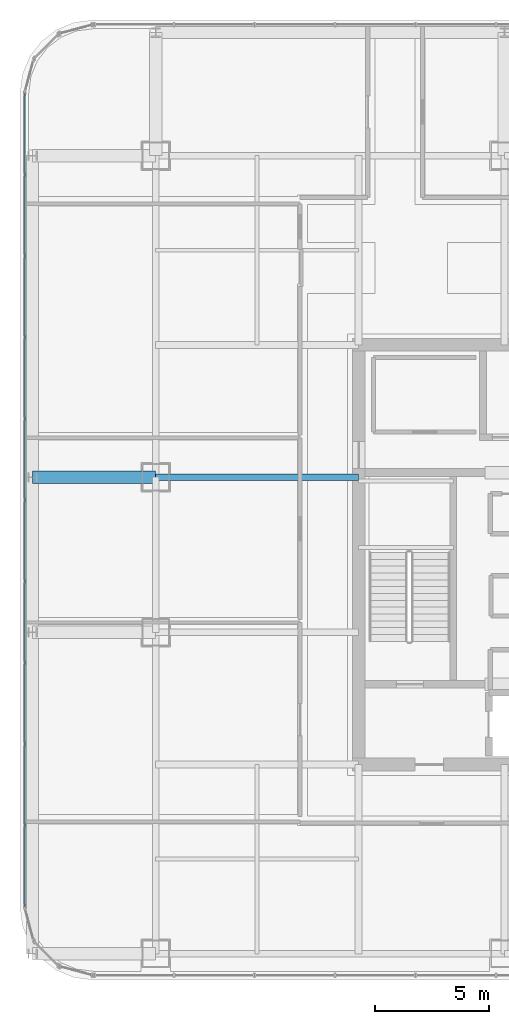
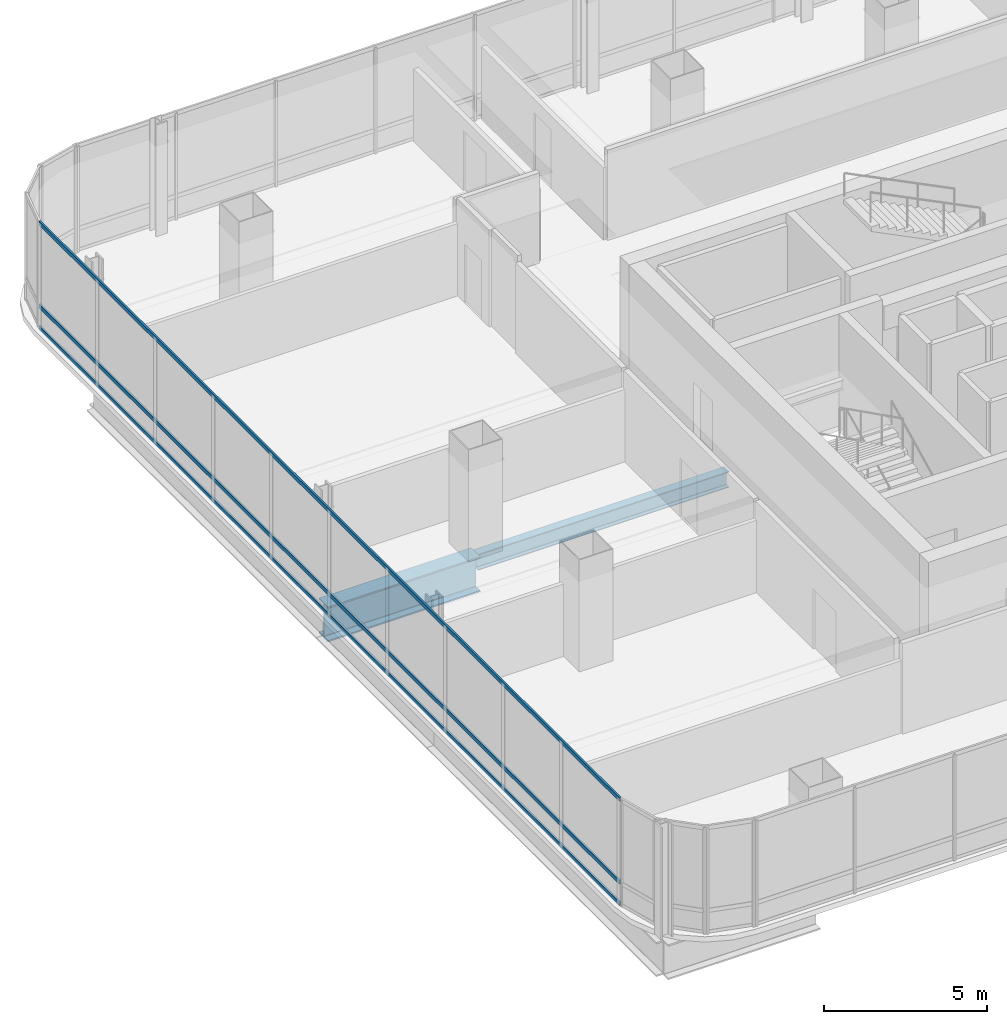
# One storey, part 12 of 41: 3 members, 2 beams, 1 element without a shape of its own.
"""IFC4 building model written with IfcOpenShell, lengths in metres."""

from ifc_helpers import new_model, si_unit, direction, frame, origin, origin_2d, place, context, subcontext, project, spatial, hollow_rectangle, i_section, extrude, material, material_profile, profile_set, type_object, element, aggregate, save


model = new_model("IFC4")

# Units and contexts
model_context = context("Model", 3, precision=1e-05, world=origin(), true_north=direction((0.0, 1.0)))
body_context = subcontext(model_context, "Body", "Model", "MODEL_VIEW")
ifc_project = project(units=[si_unit("LENGTHUNIT", "METRE"), si_unit("AREAUNIT", "SQUARE_METRE"), si_unit("VOLUMEUNIT", "CUBIC_METRE"), si_unit("PLANEANGLEUNIT", "RADIAN"), si_unit("MASSUNIT", "GRAM", prefix="KILO")], contexts=[model_context])

# Site, building, storey
site_placement = place(None, origin())
site = spatial("IfcSite", under=ifc_project, at=site_placement, CompositionType="ELEMENT")
building_placement = place(site_placement, origin())
building = spatial("IfcBuilding", under=site, at=building_placement, Name="Punatoya Terracotta Tower", CompositionType="ELEMENT")
storey_placement = place(building_placement, frame((0.0, 0.0, 292.199951171875)))
storey = spatial("IfcBuildingStorey", under=building, at=storey_placement, Name="L69", CompositionType="ELEMENT", Elevation=292.199951171875)

# Beams
ifc_material_1 = material(Name="Steel S355", Category="steel")
ifc_material_profile_1 = material_profile(ifc_material_1, i_section(OverallWidth=0.300048828125, OverallDepth=0.60009765625, WebThickness=0.015380859375, FlangeThickness=0.030029296875, FilletRadius=0.01806640625, at=origin_2d()))
ifc_profile_set_1 = profile_set([ifc_material_profile_1], Name="Steel S355")
beam_type_1 = type_object("IfcBeamType", Name="BM-PRI-600", PredefinedType="BEAM", material=ifc_profile_set_1)
beam_1_placement = place(storey_placement, frame((-19.10009765625, 3.39990234375, -0.5), z_axis=(1.0, 0.0, 0.0), x_axis=(0.0, 1.0, 0.0)))
element("IfcBeam", 1, at=beam_1_placement, inside=storey, type_object=beam_type_1, Name="BM-L69-PR-WE", PredefinedType="BEAM", context=body_context, shape_type="SweptSolid", body=[
    extrude(i_section(OverallWidth=0.300048828125, OverallDepth=0.60009765625, WebThickness=0.015380859375, FlangeThickness=0.030029296875, FilletRadius=0.01806640625, at=origin_2d()), origin(), (0.0, 0.0, 1.0), 8.900146484375),
])
ifc_material_2 = material(Name="Steel S460", Category="steel")
ifc_material_profile_2 = material_profile(ifc_material_2, i_section(OverallWidth=0.56005859375, OverallDepth=1.320068359375, WebThickness=0.035888671875, FlangeThickness=0.054931640625, FilletRadius=0.01806640625, at=origin_2d()))
ifc_profile_set_2 = profile_set([ifc_material_profile_2], Name="Steel S460")
beam_type_2 = type_object("IfcBeamType", Name="BM-TG-BLK", PredefinedType="BEAM", material=ifc_profile_set_2)
beam_2_placement = place(storey_placement, frame((-24.5, 3.39990234375, -0.85986328125), z_axis=(1.0, 0.0, 0.0), x_axis=(0.0, 1.0, 0.0)))
element("IfcBeam", 2, at=beam_2_placement, inside=storey, type_object=beam_type_2, Name="BM-L69-CANT-W3", PredefinedType="BEAM", context=body_context, shape_type="SweptSolid", body=[
    extrude(i_section(OverallWidth=0.56005859375, OverallDepth=1.320068359375, WebThickness=0.035888671875, FlangeThickness=0.054931640625, FilletRadius=0.01806640625, at=origin_2d()), origin(), (0.0, 0.0, 1.0), 5.39990234375),
])

# Curtain wall, members
ifc_material_3 = material(Name="Aluminium 6063-T6 + Double Low-E Glass", Category="aluminium")
curtain_wall_type = type_object("IfcCurtainWallType", Name="CW-M3", PredefinedType="NOTDEFINED", material=ifc_material_3)
curtain_wall_placement = place(storey_placement, origin())
curtain_wall = element("IfcCurtainWall", 3, at=curtain_wall_placement, inside=storey, type_object=curtain_wall_type, Name="L69 Curtain Wall CW-L69-W13-1", PredefinedType="NOTDEFINED")
ifc_material_4 = material(Name="Aluminium 6063-T6", Category="aluminium")
ifc_material_profile_3 = material_profile(ifc_material_4, hollow_rectangle(XDim=0.068115234375, YDim=0.14990234375, WallThickness=0.00390625, at=origin_2d()))
ifc_profile_set_3 = profile_set([ifc_material_profile_3], Name="Aluminium 6063-T6")
member_type = type_object("IfcMemberType", Name="CW-TRN-TYP", PredefinedType="USERDEFINED", material=ifc_profile_set_3)
member_1_placement = place(storey_placement, frame((-24.85009765625, 20.23681640625, 0.0400390625), z_axis=(0.0, -1.0, 0.0), x_axis=(1.0, 0.0, 0.0)))
member_1 = element("IfcMember", 4, at=member_1_placement, type_object=member_type, Name="CW-L69-W13-1 Transom 1", ObjectType="TRANSOM", PredefinedType="USERDEFINED", context=body_context, shape_type="SweptSolid", body=[
    extrude(hollow_rectangle(XDim=0.068115234375, YDim=0.14990234375, WallThickness=0.00390625, at=origin_2d()), origin(), (0.0, 0.0, 1.0), 35.673828125),
])
member_2_placement = place(storey_placement, frame((-24.85009765625, 20.23681640625, 0.85009765625), z_axis=(0.0, -1.0, 0.0), x_axis=(1.0, 0.0, 0.0)))
member_2 = element("IfcMember", 5, at=member_2_placement, type_object=member_type, Name="CW-L69-W13-1 Transom 2", ObjectType="TRANSOM", PredefinedType="USERDEFINED", context=body_context, shape_type="SweptSolid", body=[
    extrude(hollow_rectangle(XDim=0.068115234375, YDim=0.14990234375, WallThickness=0.00390625, at=origin_2d()), origin(), (0.0, 0.0, 1.0), 35.673828125),
])
member_3_placement = place(storey_placement, frame((-24.85009765625, 20.23681640625, 3.9599609375), z_axis=(0.0, -1.0, 0.0), x_axis=(1.0, 0.0, 0.0)))
member_3 = element("IfcMember", 6, at=member_3_placement, type_object=member_type, Name="CW-L69-W13-1 Transom 3", ObjectType="TRANSOM", PredefinedType="USERDEFINED", context=body_context, shape_type="SweptSolid", body=[
    extrude(hollow_rectangle(XDim=0.068115234375, YDim=0.14990234375, WallThickness=0.00390625, at=origin_2d()), origin(), (0.0, 0.0, 1.0), 35.673828125),
])
aggregate(curtain_wall, [member_1, member_2, member_3])

save(model, "model.ifc")
